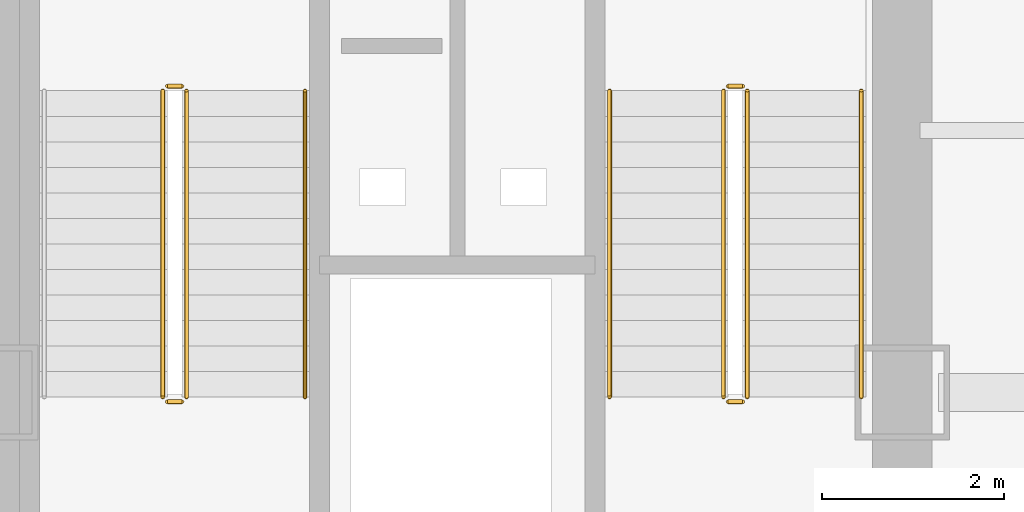
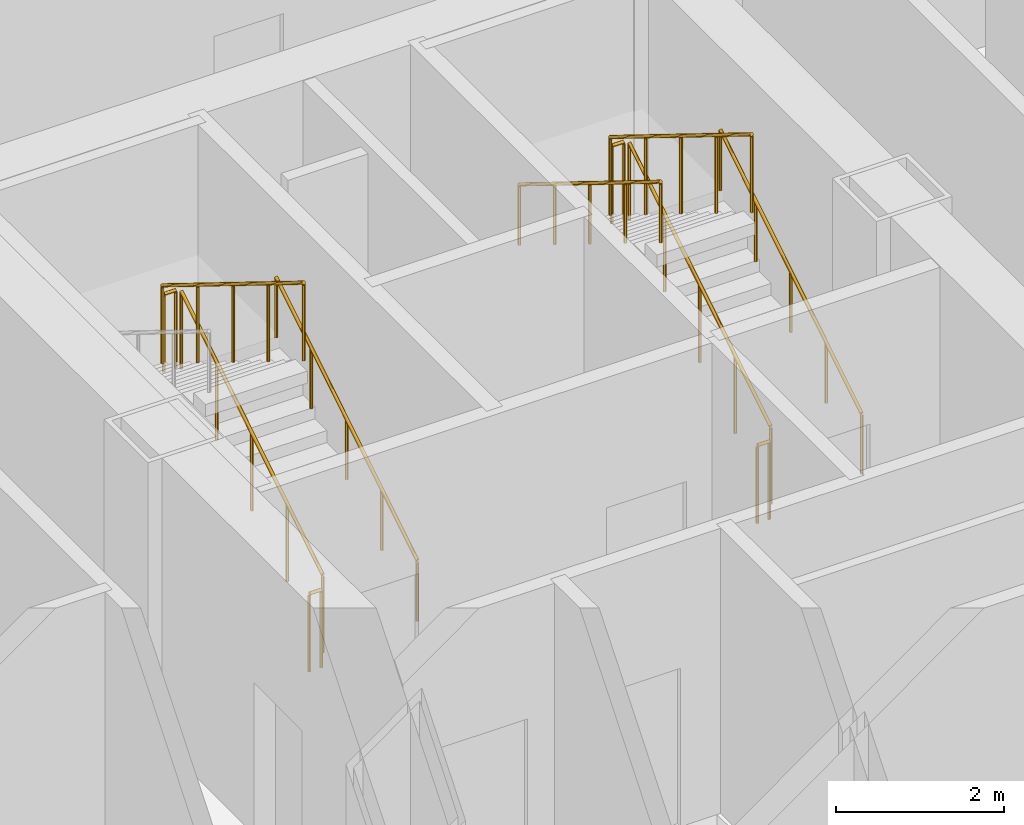
# One storey, part 27 of 28: 11 railings.
"""IFC4 building model written with IfcOpenShell, lengths in metres."""

import ifcopenshell
import ifcopenshell.guid

model = None  # the IFC model being written
_history = None  # IfcOwnerHistory: only IFC2X3 demands one
_inside = {}  # id of a spatial element -> (the spatial element, [elements in it])
_under = {}  # id of a project, library or spatial element -> (it, [spatial elements below it])
_declared = {}  # id of a project -> (the project, [libraries it declares])
_typed = {}  # id of a type object -> (the type object, [elements of that type])
_made_of = {}  # id of a material, layer set ... -> (it, [elements and type objects made of it])


def new_model(schema):
    """Start an empty IFC model of exactly this schema.

    Asked for "IFC4X3", IfcOpenShell would pick the latest addendum, in which some entities
    have other attributes; the version numbers below select the first issue.
    IFC2X3 requires an IfcOwnerHistory on every rooted entity: one is made here for all.
    """
    global model, _history
    if schema == "IFC4X3":
        model = ifcopenshell.file(schema_version=(4, 3, 0, 0))
    else:
        model = ifcopenshell.file(schema=schema)
    _inside.clear()
    _under.clear()
    _declared.clear()
    _typed.clear()
    _made_of.clear()
    _history = None
    if model.schema == "IFC2X3":
        org = make("IfcOrganization", Name="unknown")
        user = make(
            "IfcPersonAndOrganization",
            ThePerson=make("IfcPerson", FamilyName="unknown"),
            TheOrganization=org,
        )
        app = make(
            "IfcApplication",
            ApplicationDeveloper=org,
            Version="unknown",
            ApplicationFullName="unknown",
            ApplicationIdentifier="unknown",
        )
        _history = make(
            "IfcOwnerHistory",
            OwningUser=user,
            OwningApplication=app,
            ChangeAction="ADDED",
            CreationDate=0,
        )
    return model


def make(cls, **values):
    """One entity of the class cls with the attributes given. An attribute that is None is left unset."""
    return model.create_entity(
        cls, **{name: value for name, value in values.items() if value is not None}
    )


def rooted(cls, **values):
    """An entity with a GlobalId (a new one), such as an element, a storey or a relation."""
    return make(cls, GlobalId=ifcopenshell.guid.new(), OwnerHistory=_history, **values)


def si_unit(unit_type, name, prefix=None):
    """IfcSIUnit, for example si_unit("LENGTHUNIT", "METRE", prefix="MILLI")."""
    return make("IfcSIUnit", UnitType=unit_type, Prefix=prefix, Name=name)


def assignment(units):
    """IfcUnitAssignment: the units of a project."""
    return None if units is None else make("IfcUnitAssignment", Units=units)


def point(xyz):
    """IfcCartesianPoint."""
    return None if xyz is None else make("IfcCartesianPoint", Coordinates=xyz)


def direction(xyz):
    """IfcDirection."""
    return None if xyz is None else make("IfcDirection", DirectionRatios=xyz)


def frame(location, z_axis=None, x_axis=None):
    """IfcAxis2Placement3D, a coordinate frame: its origin and axes. An axis left out is left unset."""
    return make(
        "IfcAxis2Placement3D",
        Location=point(location),
        Axis=direction(z_axis),
        RefDirection=direction(x_axis),
    )


def frame_2d(location, x_axis=None):
    """IfcAxis2Placement2D, a coordinate frame in the plane: its origin and x axis."""
    return make(
        "IfcAxis2Placement2D", Location=point(location), RefDirection=direction(x_axis)
    )


def origin():
    """The frame at (0, 0, 0) with its axes left unset."""
    return frame((0.0, 0.0, 0.0))


def origin_2d():
    """The frame at (0, 0) in the plane with its x axis left unset."""
    return frame_2d((0.0, 0.0))


def place(relative_to, where):
    """IfcLocalPlacement: puts the frame where relative to a parent placement (None: the world)."""
    return make(
        "IfcLocalPlacement", PlacementRelTo=relative_to, RelativePlacement=where
    )


def context(
    kind, dimensions, precision=None, world=None, true_north=None, identifier=None
):
    """IfcGeometricRepresentationContext, for example the 3D "Model" context."""
    return make(
        "IfcGeometricRepresentationContext",
        ContextIdentifier=identifier,
        ContextType=kind,
        CoordinateSpaceDimension=dimensions,
        Precision=precision,
        WorldCoordinateSystem=world,
        TrueNorth=true_north,
    )


def subcontext(parent, identifier, kind, view, scale=None):
    """IfcGeometricRepresentationSubContext, for example "Body" below "Model"."""
    return make(
        "IfcGeometricRepresentationSubContext",
        ContextIdentifier=identifier,
        ContextType=kind,
        ParentContext=parent,
        TargetScale=scale,
        TargetView=view,
    )


def project(units=None, contexts=None):
    """IfcProject with its units and contexts."""
    return rooted(
        "IfcProject",
        Name="project",
        RepresentationContexts=contexts,
        UnitsInContext=assignment(units),
    )


def spatial(cls, under=None, at=None, **own):
    """A site, building, storey or space (cls), placed at a placement, below another one or the project."""
    s = rooted(cls, ObjectPlacement=at, **own)
    if under is not None:
        _under.setdefault(under.id(), (under, []))[1].append(s)
    return s


def profile(cls, at=None, kind="AREA", **sizes):
    """A parametric profile (cls). Its sizes go by their IFC names, for example OverallWidth=200.0."""
    return make(cls, ProfileType=kind, Position=at, **sizes)


def circle(**sizes):
    """IfcCircleProfileDef."""
    return profile("IfcCircleProfileDef", **sizes)


def extrude(swept, where, along, depth):
    """IfcExtrudedAreaSolid: the profile swept, set in the frame where, extruded along a direction by depth."""
    return make(
        "IfcExtrudedAreaSolid",
        SweptArea=swept,
        Position=where,
        ExtrudedDirection=direction(along),
        Depth=depth,
    )


def shape(context_of_items, identifier, shape_type, items):
    """IfcShapeRepresentation: the items that make up one representation, for example the "Body"."""
    return make(
        "IfcShapeRepresentation",
        ContextOfItems=context_of_items,
        RepresentationIdentifier=identifier,
        RepresentationType=shape_type,
        Items=items,
    )


def material(Name=None, Category=None):
    """IfcMaterial."""
    return make("IfcMaterial", Name=Name, Category=Category)


def made_of(thing, what):
    """Note that an element or type object is made of a material, layer set ...; save() writes the relation."""
    if what is not None:
        _made_of.setdefault(what.id(), (what, []))[1].append(thing)
    return thing


def type_object(cls, material=None, **own):
    """A type object (cls), such as IfcWallType, which elements share."""
    return made_of(rooted(cls, **own), material)


def element(
    cls,
    number,
    at=None,
    inside=None,
    cuts=None,
    type_object=None,
    material=None,
    context=None,
    identifier="Body",
    shape_type=None,
    held_by="IfcProductDefinitionShape",
    body=None,
    shapes=None,
    **own,
):
    """One element of the class cls, such as IfcWall. Its Tag is "e" and its number.

    at: its placement. inside: the storey or other place that contains it. cuts: it is an
    opening in that element (IfcRelVoidsElement). A single representation is given by context,
    identifier, shape_type and body (its items); several are given by shapes. held_by: the class
    of the entity that holds the representations. save() writes the other relations.
    """
    e = rooted(cls, Tag="e%d" % number, ObjectPlacement=at, **own)
    if body is not None:
        shapes = [shape(context, identifier, shape_type, body)]
    if shapes is not None:
        e.Representation = make(held_by, Representations=shapes)
    if inside is not None:
        _inside.setdefault(inside.id(), (inside, []))[1].append(e)
    if cuts is not None:
        rooted(
            "IfcRelVoidsElement", RelatingBuildingElement=cuts, RelatedOpeningElement=e
        )
    if type_object is not None:
        _typed.setdefault(type_object.id(), (type_object, []))[1].append(e)
    return made_of(e, material)


def aggregate(whole, parts):
    """IfcRelAggregates: a whole, such as a stair, and the parts it consists of."""
    return rooted("IfcRelAggregates", RelatingObject=whole, RelatedObjects=parts)


def save(model, path):
    """Write the relations noted so far, then the file.

    IfcRelAggregates (storeys below a building ...), IfcRelContainedInSpatialStructure (elements
    in a storey), IfcRelDefinesByType, IfcRelAssociatesMaterial and IfcRelDeclares: one each for
    every whole, place, type object, material and project.
    """
    for whole, parts in _under.values():
        aggregate(whole, parts)
    for where, things in _inside.values():
        rooted(
            "IfcRelContainedInSpatialStructure",
            RelatedElements=things,
            RelatingStructure=where,
        )
    for kind, things in _typed.values():
        rooted("IfcRelDefinesByType", RelatedObjects=things, RelatingType=kind)
    for what, things in _made_of.values():
        rooted("IfcRelAssociatesMaterial", RelatedObjects=things, RelatingMaterial=what)
    for by, libraries in _declared.values():
        rooted("IfcRelDeclares", RelatingContext=by, RelatedDefinitions=libraries)
    model.write(path)


model = new_model("IFC4")

# Units and contexts
model_context = context("Model", 3, precision=1e-05, world=origin(), true_north=direction((0.0, 1.0)))
body_context = subcontext(model_context, "Body", "Model", "MODEL_VIEW")
ifc_project = project(units=[si_unit("LENGTHUNIT", "METRE"), si_unit("AREAUNIT", "SQUARE_METRE"), si_unit("VOLUMEUNIT", "CUBIC_METRE"), si_unit("PLANEANGLEUNIT", "RADIAN"), si_unit("MASSUNIT", "GRAM", prefix="KILO")], contexts=[model_context])

# Site, building, storey
site_placement = place(None, origin())
site = spatial("IfcSite", under=ifc_project, at=site_placement, CompositionType="ELEMENT")
building_placement = place(site_placement, origin())
building = spatial("IfcBuilding", under=site, at=building_placement, Name="Kolveth Station Tower", CompositionType="ELEMENT")
storey_placement = place(building_placement, frame((0.0, 0.0, 18.0)))
storey = spatial("IfcBuildingStorey", under=building, at=storey_placement, Name="L04", CompositionType="ELEMENT", Elevation=18.0)

# Railings
ifc_material_1 = material(Name="Painted Steel S355 balustrade", Category="steel")
railing_type_1 = type_object("IfcRailingType", Name="Guard_GR2", PredefinedType="BALUSTRADE", material=ifc_material_1)
railing_1_placement = place(storey_placement, frame((20.64990234375, 22.949951171875, 0.173095703125)))
element("IfcRailing", 1, at=railing_1_placement, inside=storey, type_object=railing_type_1, Name="L04 ST1 stair guard 1", PredefinedType="BALUSTRADE", context=body_context, shape_type="SweptSolid", body=[
    extrude(circle(Radius=0.02392578125, at=origin_2d()), frame((0.0, 0.0, 1.1259765625), z_axis=(0.0, 0.850623216509, 0.525775754039), x_axis=(-1.0, 0.0, 0.0)), (0.0, 0.0, 1.0), 3.9501953125),
    extrude(circle(Radius=0.02099609375, at=origin_2d()), origin(), (0.0, 0.0, 1.0), 1.101806640625),
    extrude(circle(Radius=0.02099609375, at=origin_2d()), frame((0.0, 0.840087890625, 0.519287109375)), (0.0, 0.0, 1.0), 1.101806640625),
    extrude(circle(Radius=0.02099609375, at=origin_2d()), frame((0.0, 1.68017578125, 1.03857421875)), (0.0, 0.0, 1.0), 1.101806640625),
    extrude(circle(Radius=0.02099609375, at=origin_2d()), frame((0.0, 2.52001953125, 1.5576171875)), (0.0, 0.0, 1.0), 1.101806640625),
    extrude(circle(Radius=0.02099609375, at=origin_2d()), frame((0.0, 3.360107421875, 2.076904296875)), (0.0, 0.0, 1.0), 1.101806640625),
])
railing_2_placement = place(storey_placement, frame((20.60009765625, 26.360107421875, 2.25)))
element("IfcRailing", 2, at=railing_2_placement, inside=storey, type_object=railing_type_1, Name="L04 ST1 stair guard 2", PredefinedType="BALUSTRADE", context=body_context, shape_type="SweptSolid", body=[
    extrude(circle(Radius=0.02392578125, at=origin_2d()), frame((0.0, 0.0, 1.1259765625), z_axis=(-1.0, 0.0, 0.0), x_axis=(0.0, -1.0, 0.0)), (0.0, 0.0, 1.0), 0.16015625),
    extrude(circle(Radius=0.02099609375, at=origin_2d()), origin(), (0.0, 0.0, 1.0), 1.101806640625),
    extrude(circle(Radius=0.02099609375, at=origin_2d()), frame((-0.16015625, 0.0, 0.0)), (0.0, 0.0, 1.0), 1.101806640625),
])
railing_3_placement = place(storey_placement, frame((20.389892578125, 26.31005859375, 2.423095703125)))
element("IfcRailing", 3, at=railing_3_placement, inside=storey, type_object=railing_type_1, Name="L04 ST1 stair guard 3", PredefinedType="BALUSTRADE", context=body_context, shape_type="SweptSolid", body=[
    extrude(circle(Radius=0.02392578125, at=origin_2d()), frame((0.0, 0.0, 1.1259765625), z_axis=(0.0, -0.850623216509, 0.525775754039), x_axis=(1.0, 0.0, 0.0)), (0.0, 0.0, 1.0), 3.9501953125),
    extrude(circle(Radius=0.02099609375, at=origin_2d()), origin(), (0.0, 0.0, 1.0), 1.101806640625),
    extrude(circle(Radius=0.02099609375, at=origin_2d()), frame((0.0, -0.840087890625, 0.519287109375)), (0.0, 0.0, 1.0), 1.101806640625),
    extrude(circle(Radius=0.02099609375, at=origin_2d()), frame((0.0, -1.68017578125, 1.03857421875)), (0.0, 0.0, 1.0), 1.101806640625),
    extrude(circle(Radius=0.02099609375, at=origin_2d()), frame((0.0, -2.52001953125, 1.5576171875)), (0.0, 0.0, 1.0), 1.101806640625),
    extrude(circle(Radius=0.02099609375, at=origin_2d()), frame((0.0, -3.360107421875, 2.076904296875)), (0.0, 0.0, 1.0), 1.101806640625),
])
railing_4_placement = place(storey_placement, frame((20.60009765625, 22.89990234375, 0.0)))
element("IfcRailing", 4, at=railing_4_placement, inside=storey, type_object=railing_type_1, Name="L04 ST1 stair guard 4", PredefinedType="BALUSTRADE", context=body_context, shape_type="SweptSolid", body=[
    extrude(circle(Radius=0.02392578125, at=origin_2d()), frame((0.0, 0.0, 1.1259765625), z_axis=(-1.0, 0.0, 0.0), x_axis=(0.0, -1.0, 0.0)), (0.0, 0.0, 1.0), 0.16015625),
    extrude(circle(Radius=0.02099609375, at=origin_2d()), origin(), (0.0, 0.0, 1.0), 1.101806640625),
    extrude(circle(Radius=0.02099609375, at=origin_2d()), frame((-0.16015625, 0.0, 0.0)), (0.0, 0.0, 1.0), 1.101806640625),
])
railing_5_placement = place(storey_placement, frame((26.800048828125, 22.949951171875, 0.173095703125)))
element("IfcRailing", 5, at=railing_5_placement, inside=storey, type_object=railing_type_1, Name="L04 ST2 stair guard 1", PredefinedType="BALUSTRADE", context=body_context, shape_type="SweptSolid", body=[
    extrude(circle(Radius=0.02392578125, at=origin_2d()), frame((0.0, 0.0, 1.1259765625), z_axis=(0.0, 0.850623216509, 0.525775754039), x_axis=(-1.0, 0.0, 0.0)), (0.0, 0.0, 1.0), 3.9501953125),
    extrude(circle(Radius=0.02099609375, at=origin_2d()), origin(), (0.0, 0.0, 1.0), 1.101806640625),
    extrude(circle(Radius=0.02099609375, at=origin_2d()), frame((0.0, 0.840087890625, 0.519287109375)), (0.0, 0.0, 1.0), 1.101806640625),
    extrude(circle(Radius=0.02099609375, at=origin_2d()), frame((0.0, 1.68017578125, 1.03857421875)), (0.0, 0.0, 1.0), 1.101806640625),
    extrude(circle(Radius=0.02099609375, at=origin_2d()), frame((0.0, 2.52001953125, 1.5576171875)), (0.0, 0.0, 1.0), 1.101806640625),
    extrude(circle(Radius=0.02099609375, at=origin_2d()), frame((0.0, 3.360107421875, 2.076904296875)), (0.0, 0.0, 1.0), 1.101806640625),
])
railing_6_placement = place(storey_placement, frame((26.75, 26.360107421875, 2.25)))
element("IfcRailing", 6, at=railing_6_placement, inside=storey, type_object=railing_type_1, Name="L04 ST2 stair guard 2", PredefinedType="BALUSTRADE", context=body_context, shape_type="SweptSolid", body=[
    extrude(circle(Radius=0.02392578125, at=origin_2d()), frame((0.0, 0.0, 1.1259765625), z_axis=(-1.0, 0.0, 0.0), x_axis=(0.0, -1.0, 0.0)), (0.0, 0.0, 1.0), 0.159912109375),
    extrude(circle(Radius=0.02099609375, at=origin_2d()), origin(), (0.0, 0.0, 1.0), 1.101806640625),
    extrude(circle(Radius=0.02099609375, at=origin_2d()), frame((-0.159912109375, 0.0, 0.0)), (0.0, 0.0, 1.0), 1.101806640625),
])
railing_7_placement = place(storey_placement, frame((26.5400390625, 26.31005859375, 2.423095703125)))
element("IfcRailing", 7, at=railing_7_placement, inside=storey, type_object=railing_type_1, Name="L04 ST2 stair guard 3", PredefinedType="BALUSTRADE", context=body_context, shape_type="SweptSolid", body=[
    extrude(circle(Radius=0.02392578125, at=origin_2d()), frame((0.0, 0.0, 1.1259765625), z_axis=(0.0, -0.850623216509, 0.525775754039), x_axis=(1.0, 0.0, 0.0)), (0.0, 0.0, 1.0), 3.9501953125),
    extrude(circle(Radius=0.02099609375, at=origin_2d()), origin(), (0.0, 0.0, 1.0), 1.101806640625),
    extrude(circle(Radius=0.02099609375, at=origin_2d()), frame((0.0, -0.840087890625, 0.519287109375)), (0.0, 0.0, 1.0), 1.101806640625),
    extrude(circle(Radius=0.02099609375, at=origin_2d()), frame((0.0, -1.68017578125, 1.03857421875)), (0.0, 0.0, 1.0), 1.101806640625),
    extrude(circle(Radius=0.02099609375, at=origin_2d()), frame((0.0, -2.52001953125, 1.5576171875)), (0.0, 0.0, 1.0), 1.101806640625),
    extrude(circle(Radius=0.02099609375, at=origin_2d()), frame((0.0, -3.360107421875, 2.076904296875)), (0.0, 0.0, 1.0), 1.101806640625),
])
railing_8_placement = place(storey_placement, frame((26.75, 22.89990234375, 0.0)))
element("IfcRailing", 8, at=railing_8_placement, inside=storey, type_object=railing_type_1, Name="L04 ST2 stair guard 4", PredefinedType="BALUSTRADE", context=body_context, shape_type="SweptSolid", body=[
    extrude(circle(Radius=0.02392578125, at=origin_2d()), frame((0.0, 0.0, 1.1259765625), z_axis=(-1.0, 0.0, 0.0), x_axis=(0.0, -1.0, 0.0)), (0.0, 0.0, 1.0), 0.159912109375),
    extrude(circle(Radius=0.02099609375, at=origin_2d()), origin(), (0.0, 0.0, 1.0), 1.101806640625),
    extrude(circle(Radius=0.02099609375, at=origin_2d()), frame((-0.159912109375, 0.0, 0.0)), (0.0, 0.0, 1.0), 1.101806640625),
])
ifc_material_2 = material(Name="Brushed stainless steel", Category="steel")
railing_type_2 = type_object("IfcRailingType", Name="Handrail_HR1", PredefinedType="HANDRAIL", material=ifc_material_2)
for number, where, name in (
    (9, (21.949951171875, 22.949951171875, 0.173095703125), "L04 ST1 stair handrail 1"),
    (10, (28.050048828125, 22.949951171875, 0.173095703125), "L04 ST2 stair handrail 1"),
):
    element("IfcRailing", number, at=place(storey_placement, frame(where)), inside=storey, type_object=railing_type_2, Name=name, PredefinedType="HANDRAIL", context=body_context, shape_type="SweptSolid", body=[
        extrude(circle(Radius=0.02392578125, at=origin_2d()), frame((0.0, 0.0, 0.8759765625), z_axis=(0.0, 0.850623216509, 0.525775754039), x_axis=(-1.0, 0.0, 0.0)), (0.0, 0.0, 1.0), 3.9501953125),
        extrude(circle(Radius=0.02099609375, at=origin_2d()), origin(), (0.0, 0.0, 1.0), 0.851806640625),
        extrude(circle(Radius=0.02099609375, at=origin_2d()), frame((0.0, 0.840087890625, 0.519287109375)), (0.0, 0.0, 1.0), 0.851806640625),
        extrude(circle(Radius=0.02099609375, at=origin_2d()), frame((0.0, 1.68017578125, 1.03857421875)), (0.0, 0.0, 1.0), 0.851806640625),
        extrude(circle(Radius=0.02099609375, at=origin_2d()), frame((0.0, 2.52001953125, 1.5576171875)), (0.0, 0.0, 1.0), 0.851806640625),
        extrude(circle(Radius=0.02099609375, at=origin_2d()), frame((0.0, 3.360107421875, 2.076904296875)), (0.0, 0.0, 1.0), 0.851806640625),
    ])
railing_9_placement = place(storey_placement, frame((25.2900390625, 26.31005859375, 2.423095703125)))
element("IfcRailing", 11, at=railing_9_placement, inside=storey, type_object=railing_type_2, Name="L04 ST2 stair handrail 2", PredefinedType="HANDRAIL", context=body_context, shape_type="SweptSolid", body=[
    extrude(circle(Radius=0.02392578125, at=origin_2d()), frame((0.0, 0.0, 0.8759765625), z_axis=(0.0, -0.850623216509, 0.525775754039), x_axis=(1.0, 0.0, 0.0)), (0.0, 0.0, 1.0), 3.9501953125),
    extrude(circle(Radius=0.02099609375, at=origin_2d()), origin(), (0.0, 0.0, 1.0), 0.851806640625),
    extrude(circle(Radius=0.02099609375, at=origin_2d()), frame((0.0, -0.840087890625, 0.519287109375)), (0.0, 0.0, 1.0), 0.851806640625),
    extrude(circle(Radius=0.02099609375, at=origin_2d()), frame((0.0, -1.68017578125, 1.03857421875)), (0.0, 0.0, 1.0), 0.851806640625),
    extrude(circle(Radius=0.02099609375, at=origin_2d()), frame((0.0, -2.52001953125, 1.5576171875)), (0.0, 0.0, 1.0), 0.851806640625),
    extrude(circle(Radius=0.02099609375, at=origin_2d()), frame((0.0, -3.360107421875, 2.076904296875)), (0.0, 0.0, 1.0), 0.851806640625),
])

save(model, "model.ifc")
